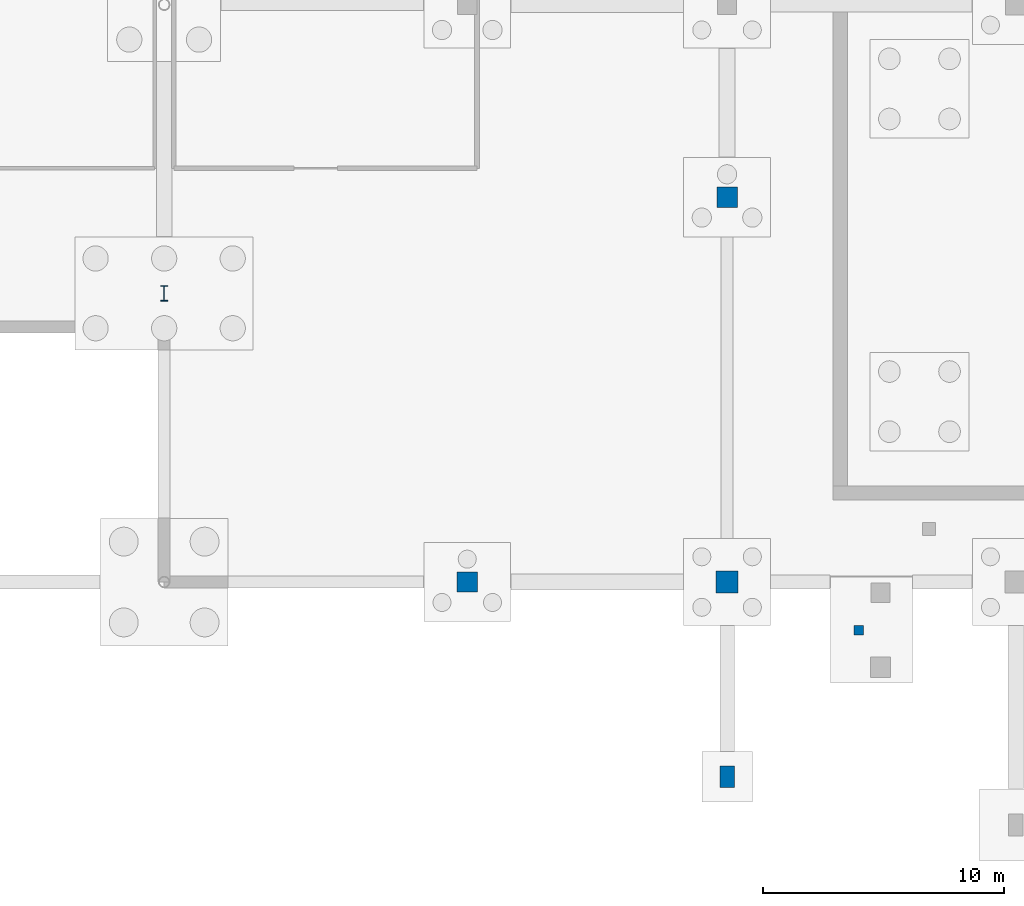
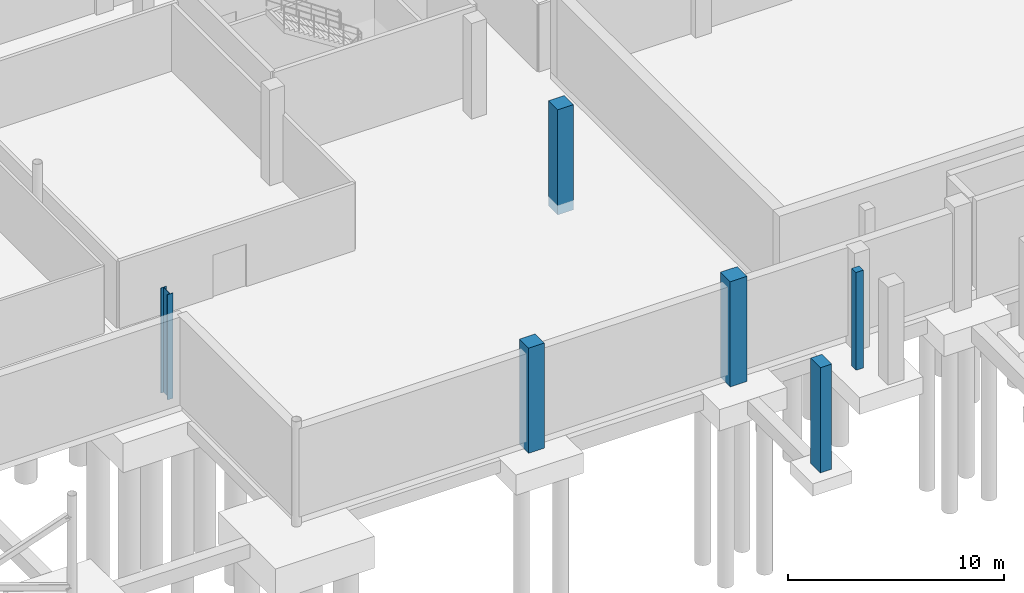
# One storey, part 14 of 42: 6 columns.
"""IFC4 building model written with IfcOpenShell, lengths in metres."""

from ifc_helpers import new_model, si_unit, direction, frame, origin, origin_2d, place, context, subcontext, project, spatial, rectangle, i_section, extrude, material, material_profile, profile_set, type_object, element, save


model = new_model("IFC4")

# Units and contexts
model_context = context("Model", 3, precision=1e-05, world=origin(), true_north=direction((0.0, 1.0)))
body_context = subcontext(model_context, "Body", "Model", "MODEL_VIEW")
ifc_project = project(units=[si_unit("LENGTHUNIT", "METRE"), si_unit("AREAUNIT", "SQUARE_METRE"), si_unit("VOLUMEUNIT", "CUBIC_METRE"), si_unit("PLANEANGLEUNIT", "RADIAN"), si_unit("MASSUNIT", "GRAM", prefix="KILO"), si_unit("THERMODYNAMICTEMPERATUREUNIT", "KELVIN"), si_unit("POWERUNIT", "WATT")], contexts=[model_context])

# Site, building, storey
site_placement = place(None, origin())
site = spatial("IfcSite", under=ifc_project, at=site_placement, CompositionType="ELEMENT")
building_placement = place(site_placement, origin())
building = spatial("IfcBuilding", under=site, at=building_placement, Name="Solmara Park Aquatics Centre", CompositionType="ELEMENT")
storey_placement = place(building_placement, frame((0.0, 0.0, -5.39990234375)))
storey = spatial("IfcBuildingStorey", under=building, at=storey_placement, Name="B1", CompositionType="ELEMENT", Elevation=-5.39990234375)

# Columns
ifc_material_1 = material(Name="Structural Steel S355", Category="steel")
ifc_material_profile_1 = material_profile(ifc_material_1, i_section(OverallWidth=0.300048828125, OverallDepth=0.64990234375, WebThickness=0.01611328125, FlangeThickness=0.031005859375, FilletRadius=0.027099609375, at=origin_2d()), Name="HEB 650")
ifc_profile_set_1 = profile_set([ifc_material_profile_1], Name="Structural Steel S355")
column_type_1 = type_object("IfcColumnType", Name="STR-COL-HEB650", PredefinedType="COLUMN", material=ifc_profile_set_1)
column_1_placement = place(storey_placement, frame((96.60009765625, 24.60009765625, -0.550048828125), z_axis=(0.0, 0.0, 1.0), x_axis=(1.0, 0.0, 0.0)))
element("IfcColumn", 1, at=column_1_placement, inside=storey, type_object=column_type_1, Name="Column B1-0067", PredefinedType="COLUMN", context=body_context, shape_type="SweptSolid", body=[
    extrude(i_section(OverallWidth=0.300048828125, OverallDepth=0.64990234375, WebThickness=0.01611328125, FlangeThickness=0.031005859375, FilletRadius=0.027099609375, at=origin_2d()), origin(), (0.0, 0.0, 1.0), 5.949951171875),
])
ifc_material_2 = material(Name="Concrete C40/50", Category="concrete")
ifc_material_profile_2 = material_profile(ifc_material_2, rectangle(XDim=0.39990234375, YDim=0.39990234375, at=origin_2d()), Name="RC 400x400")
ifc_profile_set_2 = profile_set([ifc_material_profile_2], Name="Concrete C40/50")
column_type_2 = type_object("IfcColumnType", Name="STR-COL-RC400", PredefinedType="COLUMN", material=ifc_profile_set_2)
column_2_placement = place(storey_placement, frame((125.469970703125, 10.60009765625, -0.550048828125), z_axis=(0.0, 0.0, 1.0), x_axis=(1.0, 0.0, 0.0)))
element("IfcColumn", 2, at=column_2_placement, inside=storey, type_object=column_type_2, Name="Diving Tower Platform Stair DT-01 Half-Landing Pier B1", PredefinedType="COLUMN", context=body_context, shape_type="SweptSolid", body=[
    extrude(rectangle(XDim=0.39990234375, YDim=0.39990234375, at=origin_2d()), origin(), (0.0, 0.0, 1.0), 5.530029296875),
])
ifc_material_profile_3 = material_profile(ifc_material_2, rectangle(XDim=0.60009765625, YDim=0.89990234375, at=origin_2d()), Name="RC 600x900")
ifc_profile_set_3 = profile_set([ifc_material_profile_3], Name="Concrete C40/50")
column_type_3 = type_object("IfcColumnType", Name="STR-COL-RC600x900", PredefinedType="COLUMN", material=ifc_profile_set_3)
column_3_placement = place(storey_placement, frame((120.0, 4.5, -0.550048828125), z_axis=(0.0, 0.0, 1.0), x_axis=(1.0, 0.0, 0.0)))
element("IfcColumn", 3, at=column_3_placement, inside=storey, type_object=column_type_3, Name="Column B1-0088", PredefinedType="COLUMN", context=body_context, shape_type="SweptSolid", body=[
    extrude(rectangle(XDim=0.60009765625, YDim=0.89990234375, at=origin_2d()), origin(), (0.0, 0.0, 1.0), 5.949951171875),
])
ifc_material_profile_4 = material_profile(ifc_material_2, rectangle(XDim=0.85009765625, YDim=0.85009765625, at=origin_2d()), Name="RC 850x850")
ifc_profile_set_4 = profile_set([ifc_material_profile_4], Name="Concrete C40/50")
column_type_4 = type_object("IfcColumnType", Name="STR-COL-RC850", PredefinedType="COLUMN", material=ifc_profile_set_4)
for number, where, z_axis, x_axis, name in (
    (4, (109.199951171875, 12.60009765625, -0.550048828125), (0.0, 0.0, 1.0), (1.0, 0.0, 0.0), "Column B1-0078"),
    (5, (120.0, 28.60009765625, -0.550048828125), (0.0, 0.0, 1.0), (1.0, 0.0, 0.0), "Column B1-0090"),
):
    element("IfcColumn", number, at=place(storey_placement, frame(where, z_axis=z_axis, x_axis=x_axis)), inside=storey, type_object=column_type_4, Name=name, PredefinedType="COLUMN", context=body_context, shape_type="SweptSolid", body=[
        extrude(rectangle(XDim=0.85009765625, YDim=0.85009765625, at=origin_2d()), origin(), (0.0, 0.0, 1.0), 5.949951171875),
    ])
ifc_material_profile_5 = material_profile(ifc_material_2, rectangle(XDim=0.89990234375, YDim=0.89990234375, at=origin_2d()), Name="RC 900x900")
ifc_profile_set_5 = profile_set([ifc_material_profile_5], Name="Concrete C40/50")
column_type_5 = type_object("IfcColumnType", Name="STR-COL-RC900", PredefinedType="COLUMN", material=ifc_profile_set_5)
column_4_placement = place(storey_placement, frame((120.0, 12.60009765625, -0.550048828125), z_axis=(0.0, 0.0, 1.0), x_axis=(1.0, 0.0, 0.0)))
element("IfcColumn", 6, at=column_4_placement, inside=storey, type_object=column_type_5, Name="Column B1-0089", PredefinedType="COLUMN", context=body_context, shape_type="SweptSolid", body=[
    extrude(rectangle(XDim=0.89990234375, YDim=0.89990234375, at=origin_2d()), origin(), (0.0, 0.0, 1.0), 5.949951171875),
])

save(model, "model.ifc")
